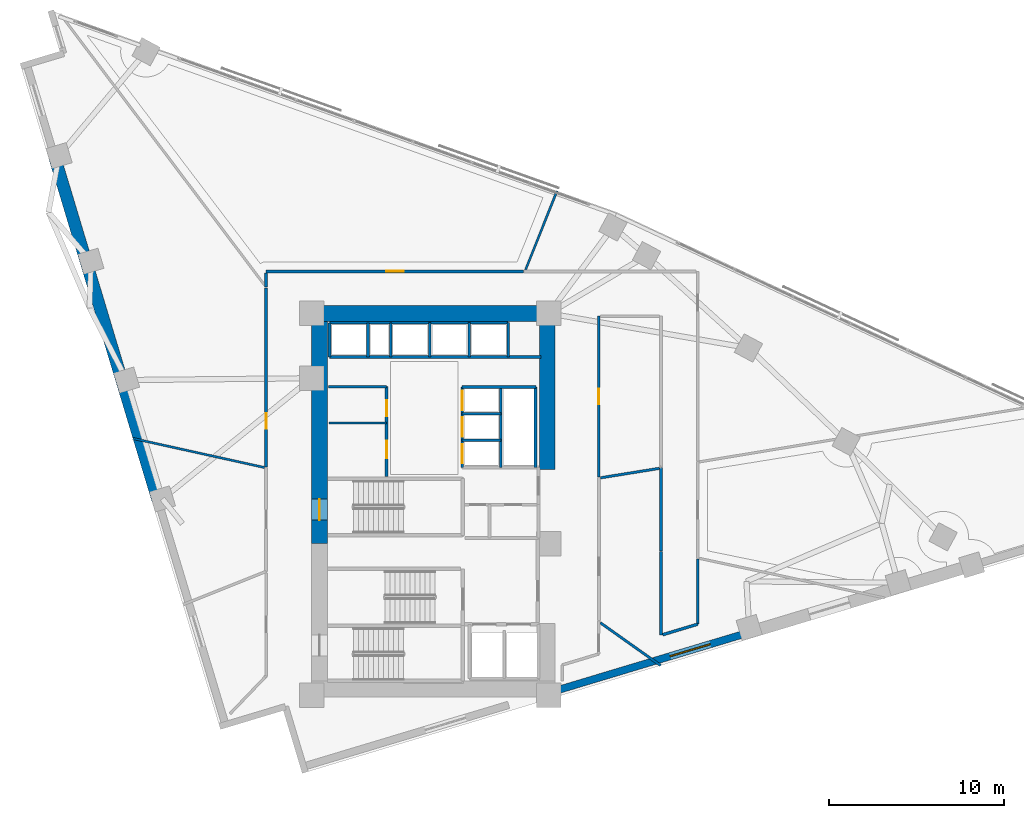
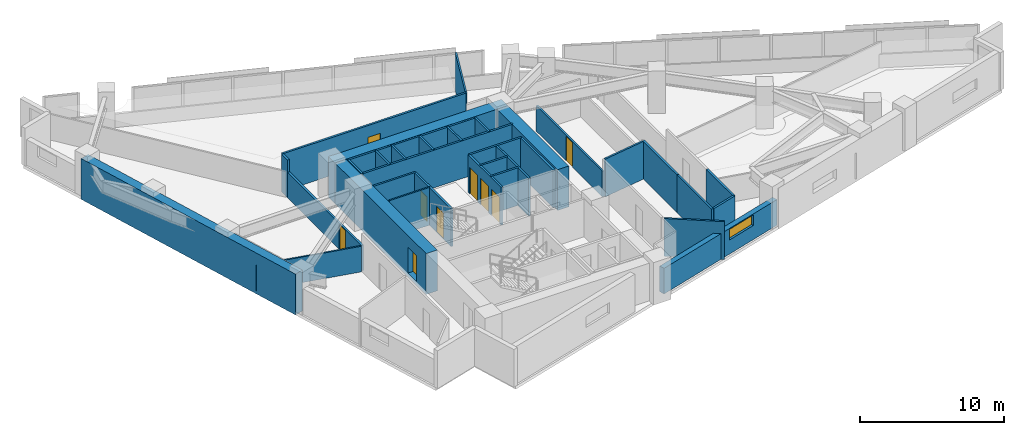
# One storey, part 10 of 14: 35 walls, 9 doors, 1 window, 10 openings.
"""IFC4 building model written with IfcOpenShell, lengths in metres."""

from ifc_helpers import new_model, si_unit, direction, frame, frame_2d, origin, place, context, subcontext, project, spatial, rectangle, extrude, material, layer, layer_set, type_object, element, fill, save


model = new_model("IFC4")

# Units and contexts
model_context = context("Model", 3, precision=1e-05, world=origin(), true_north=direction((0.0, 1.0)))
body_context = subcontext(model_context, "Body", "Model", "MODEL_VIEW")
ifc_project = project(units=[si_unit("LENGTHUNIT", "METRE"), si_unit("AREAUNIT", "SQUARE_METRE"), si_unit("VOLUMEUNIT", "CUBIC_METRE"), si_unit("PLANEANGLEUNIT", "RADIAN"), si_unit("MASSUNIT", "GRAM", prefix="KILO")], contexts=[model_context])

# Site, building, storey
site_placement = place(None, origin())
site = spatial("IfcSite", under=ifc_project, at=site_placement, CompositionType="ELEMENT")
building_placement = place(site_placement, origin())
building = spatial("IfcBuilding", under=site, at=building_placement, Name="Narakoshi Arena Tower", CompositionType="ELEMENT")
storey_placement = place(building_placement, frame((0.0, 0.0, 161.10009765625)))
storey = spatial("IfcBuildingStorey", under=building, at=storey_placement, Name="L43", CompositionType="ELEMENT", Elevation=161.10009765625)

# Wall, opening, door
ifc_material_1 = material(Name="Concrete C60/75", Category="concrete")
ifc_layer_1 = layer(ifc_material_1, 0.89990234375)
ifc_layer_set_1 = layer_set([ifc_layer_1], Name="Concrete C60/75")
wall_type_1 = type_object("IfcWallType", Name="WL-CORE-900", PredefinedType="SHEAR", material=ifc_layer_set_1)
wall_1_placement = place(storey_placement, frame((72.449951171875, 43.35009765625, -0.260009765625), z_axis=(0.0, 0.0, 1.0), x_axis=(0.0, 1.0, 0.0)))
wall_1 = element("IfcWall", 1, at=wall_1_placement, inside=storey, type_object=wall_type_1, Name="L43 Main Core Shear Wall CW-MN-W", PredefinedType="SHEAR", context=body_context, shape_type="SweptSolid", body=[
    extrude(rectangle(XDim=12.699951171875, YDim=0.89990234375, at=frame_2d((6.35009765625, 0.0))), origin(), (0.0, 0.0, 1.0), 3.4599609375),
])
opening_1_placement = place(wall_1_placement, frame((1.35009765625, 0.0, 0.260009765625)))
opening_1 = element("IfcOpeningElement", 2, at=opening_1_placement, cuts=wall_1, Name="Opening D-03", PredefinedType="OPENING", context=body_context, shape_type="SweptSolid", body=[
    extrude(rectangle(XDim=1.199951171875, YDim=2.199951171875, at=frame_2d((0.60009765625, 1.10009765625))), frame((0.0, 0.4599609375, 0.0), z_axis=(0.0, -1.0, 0.0), x_axis=(1.0, 0.0, 0.0)), (0.0, 0.0, 1.0), 0.919921875),
])
ifc_material_2 = material(Name="Painted galvanized steel", Category="steel")
door_type_1 = type_object("IfcDoorType", Name="DR-STR-1200", OperationType="NOTDEFINED", PredefinedType="USERDEFINED", material=ifc_material_2)
door_1_placement = place(opening_1_placement, frame((1.199951171875, 0.0, 0.0), z_axis=(0.0, 0.0, 1.0), x_axis=(-1.0, 0.0, 0.0)))
door_1 = element("IfcDoor", 3, at=door_1_placement, inside=storey, type_object=door_type_1, Name="DR-L43-006", ObjectType="EXITDOOR", OperationType="SINGLE_SWING_LEFT", OverallHeight=2.199951171875, OverallWidth=1.199951171875, PredefinedType="USERDEFINED", context=body_context, shape_type="SweptSolid", body=[
    extrude(rectangle(XDim=1.199951171875, YDim=2.199951171875, at=frame_2d((0.60009765625, 1.10009765625))), frame((0.0, 0.02490234375, 0.0), z_axis=(0.0, -1.0, 0.0), x_axis=(1.0, 0.0, 0.0)), (0.0, 0.0, 1.0), 0.050048828125),
])
fill(opening_1, door_1)

# Walls
wall_2_placement = place(storey_placement, frame((72.0, 56.5, -0.260009765625), z_axis=(0.0, 0.0, 1.0), x_axis=(1.0, 0.0, 0.0)))
element("IfcWall", 4, at=wall_2_placement, inside=storey, type_object=wall_type_1, Name="L43 Main Core Shear Wall CW-MN-N", PredefinedType="SHEAR", context=body_context, shape_type="SweptSolid", body=[
    extrude(rectangle(XDim=13.89990234375, YDim=0.89990234375, at=frame_2d((6.949951171875, 0.0))), origin(), (0.0, 0.0, 1.0), 3.4599609375),
])
wall_3_placement = place(storey_placement, frame((85.449951171875, 47.60009765625, -0.260009765625), z_axis=(0.0, 0.0, 1.0), x_axis=(0.0, 1.0, 0.0)))
element("IfcWall", 5, at=wall_3_placement, inside=storey, type_object=wall_type_1, Name="L43 Main Core Shear Wall CW-MN-E", PredefinedType="SHEAR", context=body_context, shape_type="SweptSolid", body=[
    extrude(rectangle(XDim=8.449951171875, YDim=0.89990234375, at=frame_2d((4.22509765625, 0.0))), origin(), (0.0, 0.0, 1.0), 3.4599609375),
])
ifc_material_3 = material(Name="Gypsum plasterboard fire-rated partition")
ifc_layer_2 = layer(ifc_material_3, 0.1650390625)
ifc_layer_set_2 = layer_set([ifc_layer_2], Name="Gypsum plasterboard fire-rated partition")
wall_type_2 = type_object("IfcWallType", Name="WL-CORR-165", PredefinedType="PARTITIONING", material=ifc_layer_set_2)
wall_4_placement = place(storey_placement, frame((91.949951171875, 47.705810546875, 0.0), z_axis=(0.0, 0.0, 1.0), x_axis=(0.0, -1.0, 0.0)))
element("IfcWall", 6, at=wall_4_placement, inside=storey, type_object=wall_type_2, Name="L43 Corridor Partition 05-2", PredefinedType="PARTITIONING", context=body_context, shape_type="SweptSolid", body=[
    extrude(rectangle(XDim=4.77783203125, YDim=0.1650390625, at=frame_2d((2.388916015625, 0.0))), origin(), (0.0, 0.0, 1.0), 3.199951171875),
])
wall_5_placement = place(storey_placement, frame((91.949951171875, 42.903564453125, 0.0), z_axis=(0.0, 0.0, 1.0), x_axis=(0.0, -1.0, 0.0)))
element("IfcWall", 7, at=wall_5_placement, inside=storey, type_object=wall_type_2, Name="L43 Corridor Partition 05-3", PredefinedType="PARTITIONING", context=body_context, shape_type="SweptSolid", body=[
    extrude(rectangle(XDim=4.778076171875, YDim=0.1650390625, at=frame_2d((2.38916015625, 0.0))), origin(), (0.0, 0.0, 1.0), 3.199951171875),
])
wall_6_placement = place(storey_placement, frame((94.050048828125, 38.757568359375, 0.0), z_axis=(0.0, 0.0, 1.0), x_axis=(0.0, 1.0, 0.0)))
element("IfcWall", 8, at=wall_6_placement, inside=storey, type_object=wall_type_2, Name="L43 Corridor Partition 05-4", PredefinedType="PARTITIONING", context=body_context, shape_type="SweptSolid", body=[
    extrude(rectangle(XDim=3.71728515625, YDim=0.1650390625, at=frame_2d((1.858642578125, 0.0))), origin(), (0.0, 0.0, 1.0), 3.199951171875),
])
wall_7_placement = place(storey_placement, frame((92.04443359375, 38.154052734375, 0.0), z_axis=(0.0, 0.0, 1.0), x_axis=(0.957585332617, 0.288149840807, 0.0)))
element("IfcWall", 9, at=wall_7_placement, inside=storey, type_object=wall_type_2, Name="L43 Corridor Partition 05-5", PredefinedType="PARTITIONING", context=body_context, shape_type="SweptSolid", body=[
    extrude(rectangle(XDim=2.094482421875, YDim=0.1650390625, at=frame_2d((1.04736328125, 0.0))), origin(), (0.0, 0.0, 1.0), 3.199951171875),
])

# Wall, opening, door
wall_8_placement = place(storey_placement, frame((84.112548828125, 58.89990234375, 0.0), z_axis=(0.0, 0.0, 1.0), x_axis=(-1.0, 0.0, 0.0)))
wall_8 = element("IfcWall", 10, at=wall_8_placement, inside=storey, type_object=wall_type_2, Name="L43 Corridor Partition 08-1", PredefinedType="PARTITIONING", context=body_context, shape_type="SweptSolid", body=[
    extrude(rectangle(XDim=14.712646484375, YDim=0.1650390625, at=frame_2d((7.3564453125, 0.0))), origin(), (0.0, 0.0, 1.0), 3.199951171875),
])
opening_2_placement = place(wall_8_placement, frame((6.856201171875, 0.0, 0.0)))
opening_2 = element("IfcOpeningElement", 11, at=opening_2_placement, cuts=wall_8, Name="Opening D-06", PredefinedType="OPENING", context=body_context, shape_type="SweptSolid", body=[
    extrude(rectangle(XDim=1.0, YDim=2.199951171875, at=frame_2d((0.5, 1.10009765625))), frame((0.0, 0.092529296875, 0.0), z_axis=(0.0, -1.0, 0.0), x_axis=(1.0, 0.0, 0.0)), (0.0, 0.0, 1.0), 0.18505859375),
])
ifc_material_4 = material(Name="Stained oak solid-core timber", Category="wood")
door_type_2 = type_object("IfcDoorType", Name="DR-OFF-1000", OperationType="NOTDEFINED", PredefinedType="DOOR", material=ifc_material_4)
door_2_placement = place(opening_2_placement, frame((1.0, 0.0, 0.0), z_axis=(0.0, 0.0, 1.0), x_axis=(-1.0, 0.0, 0.0)))
door_2 = element("IfcDoor", 12, at=door_2_placement, inside=storey, type_object=door_type_2, Name="DR-L43-022", OperationType="SINGLE_SWING_RIGHT", OverallHeight=2.199951171875, OverallWidth=1.0, PredefinedType="DOOR", context=body_context, shape_type="SweptSolid", body=[
    extrude(rectangle(XDim=1.0, YDim=2.199951171875, at=frame_2d((0.5, 1.10009765625))), frame((0.0, 0.02490234375, 0.0), z_axis=(0.0, -1.0, 0.0), x_axis=(1.0, 0.0, 0.0)), (0.0, 0.0, 1.0), 0.050048828125),
])
fill(opening_2, door_2)

# Wall
wall_9_placement = place(storey_placement, frame((69.39990234375, 58.805419921875, 0.0), z_axis=(0.0, 0.0, 1.0), x_axis=(0.0, -1.0, 0.0)))
element("IfcWall", 13, at=wall_9_placement, inside=storey, type_object=wall_type_2, Name="L43 Corridor Partition 08-2", PredefinedType="PARTITIONING", context=body_context, shape_type="SweptSolid", body=[
    extrude(rectangle(XDim=0.8046875, YDim=0.1650390625, at=frame_2d((0.40234375, 0.0))), origin(), (0.0, 0.0, 1.0), 3.199951171875),
])

# Wall, opening, door
wall_10_placement = place(storey_placement, frame((69.39990234375, 57.9609375, 0.0), z_axis=(0.0, 0.0, 1.0), x_axis=(0.0, -1.0, 0.0)))
wall_10 = element("IfcWall", 14, at=wall_10_placement, inside=storey, type_object=wall_type_2, Name="L43 Corridor Partition 09-1", PredefinedType="PARTITIONING", context=body_context, shape_type="SweptSolid", body=[
    extrude(rectangle(XDim=10.21923828125, YDim=0.1650390625, at=frame_2d((5.109619140625, 0.0))), origin(), (0.0, 0.0, 1.0), 2.177001953125),
])
opening_3_placement = place(wall_10_placement, frame((7.156982421875, 0.0, 0.0)))
opening_3 = element("IfcOpeningElement", 15, at=opening_3_placement, cuts=wall_10, Name="Opening D-08", PredefinedType="OPENING", context=body_context, shape_type="SweptSolid", body=[
    extrude(rectangle(XDim=0.89990234375, YDim=2.10009765625, at=frame_2d((0.449951171875, 1.050048828125))), frame((0.0, 0.092529296875, 0.0), z_axis=(0.0, -1.0, 0.0), x_axis=(1.0, 0.0, 0.0)), (0.0, 0.0, 1.0), 0.18505859375),
])
ifc_material_5 = material(Name="Moisture-resistant laminate timber", Category="wood")
door_type_3 = type_object("IfcDoorType", Name="DR-WC-900", OperationType="NOTDEFINED", PredefinedType="DOOR", material=ifc_material_5)
door_3_placement = place(opening_3_placement, frame((0.89990234375, 0.0, 0.0), z_axis=(0.0, 0.0, 1.0), x_axis=(-1.0, 0.0, 0.0)))
door_3 = element("IfcDoor", 16, at=door_3_placement, inside=storey, type_object=door_type_3, Name="DR-L43-023", OperationType="SINGLE_SWING_LEFT", OverallHeight=2.10009765625, OverallWidth=0.89990234375, PredefinedType="DOOR", context=body_context, shape_type="SweptSolid", body=[
    extrude(rectangle(XDim=0.89990234375, YDim=2.10009765625, at=frame_2d((0.449951171875, 1.050048828125))), frame((0.0, 0.02490234375, 0.0), z_axis=(0.0, -1.0, 0.0), x_axis=(1.0, 0.0, 0.0)), (0.0, 0.0, 1.0), 0.050048828125),
])
fill(opening_3, door_3)

# Walls
ifc_layer_3 = layer(ifc_material_1, 0.699951171875)
ifc_layer_set_3 = layer_set([ifc_layer_3], Name="Concrete C60/75")
wall_type_3 = type_object("IfcWallType", Name="WL-LEG-700", PredefinedType="SHEAR", material=ifc_layer_set_3)
wall_11_placement = place(storey_placement, frame((57.322509765625, 65.434326171875, -0.260009765625), z_axis=(0.0, 0.0, 1.0), x_axis=(0.288188159352, -0.957573801234, 0.0)))
element("IfcWall", 17, at=wall_11_placement, inside=storey, type_object=wall_type_3, Name="L43 Architectural Concrete Structural Wall LEGB-2", PredefinedType="SHEAR", context=body_context, shape_type="SweptSolid", body=[
    extrude(rectangle(XDim=20.468994140625, YDim=0.699951171875, at=frame_2d((10.234375, 0.0))), origin(), (0.0, 0.0, 1.0), 3.4599609375),
])
ifc_layer_4 = layer(ifc_material_3, 0.125)
ifc_layer_set_4 = layer_set([ifc_layer_4], Name="Gypsum plasterboard fire-rated partition")
wall_type_4 = type_object("IfcWallType", Name="WL-PART-125", PredefinedType="PARTITIONING", material=ifc_layer_set_4)
wall_12_placement = place(storey_placement, frame((73.0, 50.25, 0.0), z_axis=(0.0, 0.0, 1.0), x_axis=(1.0, 0.0, 0.0)))
element("IfcWall", 18, at=wall_12_placement, inside=storey, type_object=wall_type_4, Name="L43 Core Wall RCL-LR-D2", PredefinedType="PARTITIONING", context=body_context, shape_type="SweptSolid", body=[
    extrude(rectangle(XDim=3.280029296875, YDim=0.125, at=frame_2d((1.64013671875, 0.0))), origin(), (0.0, 0.0, 1.0), 3.199951171875),
])
wall_13_placement = place(storey_placement, frame((61.793701171875, 49.36279296875, 0.0), z_axis=(0.0, 0.0, 1.0), x_axis=(0.97643730426, -0.215801276293, 0.0)))
element("IfcWall", 19, at=wall_13_placement, inside=storey, type_object=wall_type_4, Name="L43 Inter-Room Partition 01-09", PredefinedType="PARTITIONING", context=body_context, shape_type="SweptSolid", body=[
    extrude(rectangle(XDim=7.69287109375, YDim=0.125, at=frame_2d((3.846435546875, 0.0))), origin(), (0.0, 0.0, 1.0), 2.177001953125),
])
wall_14_placement = place(storey_placement, frame((84.21484375, 58.994384765625, 0.0), z_axis=(0.0, 0.0, 1.0), x_axis=(0.371086690626, 0.928598227459, 0.0)))
element("IfcWall", 20, at=wall_14_placement, inside=storey, type_object=wall_type_4, Name="L43 Inter-Room Partition 06-08", PredefinedType="PARTITIONING", context=body_context, shape_type="SweptSolid", body=[
    extrude(rectangle(XDim=4.846923828125, YDim=0.125, at=frame_2d((2.42333984375, 0.0))), origin(), (0.0, 0.0, 1.0), 3.199951171875),
])

# Wall, opening, window
ifc_material_6 = material(Name="Precast concrete C45/55", Category="concrete")
ifc_layer_5 = layer(ifc_material_6, 0.419921875)
ifc_layer_set_5 = layer_set([ifc_layer_5], Name="Precast concrete C45/55")
wall_type_5 = type_object("IfcWallType", Name="WL-POD-420", PredefinedType="SOLIDWALL", material=ifc_layer_set_5)
wall_15_placement = place(storey_placement, frame((86.10009765625, 35.00732421875, 0.0), z_axis=(0.0, 0.0, 1.0), x_axis=(0.957569401796, 0.288202777129, 0.0)))
wall_15 = element("IfcWall", 21, at=wall_15_placement, inside=storey, type_object=wall_type_5, Name="L43 Architectural Concrete Facade Wall LEGA-2", PredefinedType="SOLIDWALL", context=body_context, shape_type="SweptSolid", body=[
    extrude(rectangle(XDim=11.447998046875, YDim=0.419921875, at=frame_2d((5.72412109375, 0.0))), origin(), (0.0, 0.0, 1.0), 2.177001953125),
])
opening_4_placement = place(wall_15_placement, frame((6.652099609375, 0.0, 1.197021484375)))
opening_4 = element("IfcOpeningElement", 22, at=opening_4_placement, cuts=wall_15, Name="Opening WN-01", PredefinedType="OPENING", context=body_context, shape_type="SweptSolid", body=[
    extrude(rectangle(XDim=2.39990234375, YDim=0.89990234375, at=frame_2d((1.199951171875, 0.449951171875))), frame((0.0, 0.219970703125, 0.0), z_axis=(0.0, -1.0, 0.0), x_axis=(1.0, 0.0, 0.0)), (0.0, 0.0, 1.0), 0.43994140625),
])
ifc_material_7 = material(Name="Bronze-tinted low-E laminated glass", Category="glass")
window_type = type_object("IfcWindowType", Name="WIN-SLT-24x09", PartitioningType="SINGLE_PANEL", PredefinedType="WINDOW", material=ifc_material_7)
window_placement = place(opening_4_placement, origin())
window = element("IfcWindow", 23, at=window_placement, inside=storey, type_object=window_type, Name="L43 LEGA2 Horizontal Slot Window 1", OverallHeight=0.89990234375, OverallWidth=2.39990234375, PartitioningType="SINGLE_PANEL", PredefinedType="WINDOW", context=body_context, shape_type="SweptSolid", body=[
    extrude(rectangle(XDim=2.39990234375, YDim=0.89990234375, at=frame_2d((1.199951171875, 0.449951171875))), frame((0.0, 0.030029296875, 0.0), z_axis=(0.0, -1.0, 0.0), x_axis=(1.0, 0.0, 0.0)), (0.0, 0.0, 1.0), 0.06005859375),
])
fill(opening_4, window)

# Walls
ifc_material_8 = material(Name="Concrete C40/50", Category="concrete")
ifc_layer_6 = layer(ifc_material_8, 0.280029296875)
ifc_layer_set_6 = layer_set([ifc_layer_6], Name="Concrete C40/50")
wall_type_6 = type_object("IfcWallType", Name="WL-RISER-280", PredefinedType="PLUMBINGWALL", material=ifc_layer_set_6)
for number, where, z_axis, x_axis, name in (
    (24, (80.60009765625, 49.260009765625, 0.0), (0.0, 0.0, 1.0), (1.0, 0.0, 0.0), "L43 Core Wall MR-D1"),
    (25, (80.60009765625, 50.780029296875, 0.0), (0.0, 0.0, 1.0), (1.0, 0.0, 0.0), "L43 Core Wall MR-D2"),
):
    element("IfcWall", number, at=place(storey_placement, frame(where, z_axis=z_axis, x_axis=x_axis)), inside=storey, type_object=wall_type_6, Name=name, PredefinedType="PLUMBINGWALL", context=body_context, shape_type="SweptSolid", body=[
        extrude(rectangle(XDim=2.199951171875, YDim=0.14990234375, at=frame_2d((1.10009765625, 0.0))), origin(), (0.0, 0.0, 1.0), 3.199951171875),
    ])
wall_16_placement = place(storey_placement, frame((82.800048828125, 47.699951171875, 0.0), z_axis=(0.0, 0.0, 1.0), x_axis=(0.0, 1.0, 0.0)))
element("IfcWall", 26, at=wall_16_placement, inside=storey, type_object=wall_type_6, Name="L43 Core Wall MR-E", PredefinedType="PLUMBINGWALL", context=body_context, shape_type="SweptSolid", body=[
    extrude(rectangle(XDim=4.60009765625, YDim=0.14990234375, at=frame_2d((2.300048828125, 0.0))), origin(), (0.0, 0.0, 1.0), 3.199951171875),
])
for number, where, z_axis, x_axis, name in (
    (27, (73.02001953125, 54.02001953125, 0.0), (0.0, 0.0, 1.0), (0.0, 1.0, 0.0), "L43 Core Wall OBS-W"),
    (28, (75.219970703125, 54.02001953125, 0.0), (0.0, 0.0, 1.0), (0.0, 1.0, 0.0), "L43 Core Wall OBS-M"),
):
    element("IfcWall", number, at=place(storey_placement, frame(where, z_axis=z_axis, x_axis=x_axis)), inside=storey, type_object=wall_type_6, Name=name, PredefinedType="PLUMBINGWALL", context=body_context, shape_type="SweptSolid", body=[
        extrude(rectangle(XDim=1.93994140625, YDim=0.14990234375, at=frame_2d((0.969970703125, 0.0))), origin(), (0.0, 0.0, 1.0), 3.199951171875),
    ])
for number, where, z_axis, x_axis, name in (
    (29, (78.75, 54.02001953125, 0.0), (0.0, 0.0, 1.0), (0.0, 1.0, 0.0), "L43 Core Wall HR-D1"),
    (30, (81.0, 54.02001953125, 0.0), (0.0, 0.0, 1.0), (0.0, 1.0, 0.0), "L43 Core Wall HR-D2"),
):
    element("IfcWall", number, at=place(storey_placement, frame(where, z_axis=z_axis, x_axis=x_axis)), inside=storey, type_object=wall_type_6, Name=name, PredefinedType="PLUMBINGWALL", context=body_context, shape_type="SweptSolid", body=[
        extrude(rectangle(XDim=1.9599609375, YDim=0.14990234375, at=frame_2d((0.97998046875, 0.0))), origin(), (0.0, 0.0, 1.0), 3.199951171875),
    ])

# Wall, openings, doors
ifc_material_9 = material(Name="Concrete C50/60", Category="concrete")
ifc_layer_7 = layer(ifc_material_9, 0.35009765625)
ifc_layer_set_7 = layer_set([ifc_layer_7], Name="Concrete C50/60")
wall_type_7 = type_object("IfcWallType", Name="WL-SHAFT-350", PredefinedType="SOLIDWALL", material=ifc_layer_set_7)
wall_17_placement = place(storey_placement, frame((76.280029296875, 47.179931640625, 0.0), z_axis=(0.0, 0.0, 1.0), x_axis=(0.0, 1.0, 0.0)))
wall_17 = element("IfcWall", 31, at=wall_17_placement, inside=storey, type_object=wall_type_7, Name="L43 Core Wall LR-E", PredefinedType="SOLIDWALL", context=body_context, shape_type="SweptSolid", body=[
    extrude(rectangle(XDim=5.14013671875, YDim=0.159912109375, at=frame_2d((2.570068359375, 0.0))), origin(), (0.0, 0.0, 1.0), 3.199951171875),
])
opening_5_placement = place(wall_17_placement, frame((1.050048828125, 0.0, 0.0)))
opening_5 = element("IfcOpeningElement", 32, at=opening_5_placement, cuts=wall_17, Name="Opening D-06", PredefinedType="OPENING", context=body_context, shape_type="SweptSolid", body=[
    extrude(rectangle(XDim=1.0, YDim=2.199951171875, at=frame_2d((0.5, 1.10009765625))), frame((0.0, 0.08984375, 0.0), z_axis=(0.0, -1.0, 0.0), x_axis=(1.0, 0.0, 0.0)), (0.0, 0.0, 1.0), 0.179931640625),
])
opening_6_placement = place(wall_17_placement, frame((3.449951171875, 0.0, 0.0)))
opening_6 = element("IfcOpeningElement", 33, at=opening_6_placement, cuts=wall_17, Name="Opening D-08", PredefinedType="OPENING", context=body_context, shape_type="SweptSolid", body=[
    extrude(rectangle(XDim=0.89990234375, YDim=2.10009765625, at=frame_2d((0.449951171875, 1.050048828125))), frame((0.0, 0.08984375, 0.0), z_axis=(0.0, -1.0, 0.0), x_axis=(1.0, 0.0, 0.0)), (0.0, 0.0, 1.0), 0.179931640625),
])
door_4_placement = place(opening_5_placement, frame((1.0, 0.0, 0.0), z_axis=(0.0, 0.0, 1.0), x_axis=(-1.0, 0.0, 0.0)))
door_4 = element("IfcDoor", 34, at=door_4_placement, inside=storey, type_object=door_type_2, Name="DR-L43-010", OperationType="SINGLE_SWING_RIGHT", OverallHeight=2.199951171875, OverallWidth=1.0, PredefinedType="DOOR", context=body_context, shape_type="SweptSolid", body=[
    extrude(rectangle(XDim=1.0, YDim=2.199951171875, at=frame_2d((0.5, 1.10009765625))), frame((0.0, 0.02490234375, 0.0), z_axis=(0.0, -1.0, 0.0), x_axis=(1.0, 0.0, 0.0)), (0.0, 0.0, 1.0), 0.050048828125),
])
fill(opening_5, door_4)
door_5_placement = place(opening_6_placement, frame((0.89990234375, 0.0, 0.0), z_axis=(0.0, 0.0, 1.0), x_axis=(-1.0, 0.0, 0.0)))
door_5 = element("IfcDoor", 35, at=door_5_placement, inside=storey, type_object=door_type_3, Name="DR-L43-011", OperationType="SINGLE_SWING_LEFT", OverallHeight=2.10009765625, OverallWidth=0.89990234375, PredefinedType="DOOR", context=body_context, shape_type="SweptSolid", body=[
    extrude(rectangle(XDim=0.89990234375, YDim=2.10009765625, at=frame_2d((0.449951171875, 1.050048828125))), frame((0.0, 0.02490234375, 0.0), z_axis=(0.0, -1.0, 0.0), x_axis=(1.0, 0.0, 0.0)), (0.0, 0.0, 1.0), 0.050048828125),
])
fill(opening_6, door_5)

# Wall
wall_18_placement = place(storey_placement, frame((72.949951171875, 52.320068359375, 0.0), z_axis=(0.0, 0.0, 1.0), x_axis=(1.0, 0.0, 0.0)))
element("IfcWall", 36, at=wall_18_placement, inside=storey, type_object=wall_type_7, Name="L43 Core Wall LR-N", PredefinedType="SOLIDWALL", context=body_context, shape_type="SweptSolid", body=[
    extrude(rectangle(XDim=3.330078125, YDim=0.14990234375, at=frame_2d((1.6650390625, 0.0))), origin(), (0.0, 0.0, 1.0), 3.199951171875),
])

# Wall, openings, doors
wall_19_placement = place(storey_placement, frame((80.60009765625, 47.699951171875, 0.0), z_axis=(0.0, 0.0, 1.0), x_axis=(0.0, 1.0, 0.0)))
wall_19 = element("IfcWall", 37, at=wall_19_placement, inside=storey, type_object=wall_type_7, Name="L43 Core Wall MR-W", PredefinedType="SOLIDWALL", context=body_context, shape_type="SweptSolid", body=[
    extrude(rectangle(XDim=4.60009765625, YDim=0.159912109375, at=frame_2d((2.300048828125, 0.0))), origin(), (0.0, 0.0, 1.0), 3.199951171875),
])
opening_7_placement = place(wall_19_placement, frame((0.239990234375, 0.0, 0.0)))
opening_7 = element("IfcOpeningElement", 38, at=opening_7_placement, cuts=wall_19, Name="Opening LD-01", PredefinedType="OPENING", context=body_context, shape_type="SweptSolid", body=[
    extrude(rectangle(XDim=1.10009765625, YDim=2.25, at=frame_2d((0.550048828125, 1.125))), frame((0.0, 0.08984375, 0.0), z_axis=(0.0, -1.0, 0.0), x_axis=(1.0, 0.0, 0.0)), (0.0, 0.0, 1.0), 0.179931640625),
])
opening_8_placement = place(wall_19_placement, frame((1.760009765625, 0.0, 0.0)))
opening_8 = element("IfcOpeningElement", 39, at=opening_8_placement, cuts=wall_19, Name="Opening LD-01", PredefinedType="OPENING", context=body_context, shape_type="SweptSolid", body=[
    extrude(rectangle(XDim=1.10009765625, YDim=2.25, at=frame_2d((0.550048828125, 1.125))), frame((0.0, 0.08984375, 0.0), z_axis=(0.0, -1.0, 0.0), x_axis=(1.0, 0.0, 0.0)), (0.0, 0.0, 1.0), 0.179931640625),
])
opening_9_placement = place(wall_19_placement, frame((3.280029296875, 0.0, 0.0)))
opening_9 = element("IfcOpeningElement", 40, at=opening_9_placement, cuts=wall_19, Name="Opening LD-01", PredefinedType="OPENING", context=body_context, shape_type="SweptSolid", body=[
    extrude(rectangle(XDim=1.10009765625, YDim=2.25, at=frame_2d((0.550048828125, 1.125))), frame((0.0, 0.08984375, 0.0), z_axis=(0.0, -1.0, 0.0), x_axis=(1.0, 0.0, 0.0)), (0.0, 0.0, 1.0), 0.179931640625),
])
ifc_material_10 = material(Name="Brushed bronze stainless steel", Category="steel")
door_type_4 = type_object("IfcDoorType", Name="DR-LFT-1100", OperationType="DOUBLE_DOOR_SLIDING", PredefinedType="DOOR", material=ifc_material_10)
door_6_placement = place(opening_7_placement, frame((1.10009765625, 0.0, 0.0), z_axis=(0.0, 0.0, 1.0), x_axis=(-1.0, 0.0, 0.0)))
door_6 = element("IfcDoor", 41, at=door_6_placement, inside=storey, type_object=door_type_4, Name="DR-L43-012", OperationType="DOUBLE_DOOR_SLIDING", OverallHeight=2.25, OverallWidth=1.10009765625, PredefinedType="DOOR", context=body_context, shape_type="SweptSolid", body=[
    extrude(rectangle(XDim=1.10009765625, YDim=2.25, at=frame_2d((0.550048828125, 1.125))), frame((0.0, 0.02490234375, 0.0), z_axis=(0.0, -1.0, 0.0), x_axis=(1.0, 0.0, 0.0)), (0.0, 0.0, 1.0), 0.050048828125),
])
fill(opening_7, door_6)
door_7_placement = place(opening_8_placement, frame((1.10009765625, 0.0, 0.0), z_axis=(0.0, 0.0, 1.0), x_axis=(-1.0, 0.0, 0.0)))
door_7 = element("IfcDoor", 42, at=door_7_placement, inside=storey, type_object=door_type_4, Name="DR-L43-013", OperationType="DOUBLE_DOOR_SLIDING", OverallHeight=2.25, OverallWidth=1.10009765625, PredefinedType="DOOR", context=body_context, shape_type="SweptSolid", body=[
    extrude(rectangle(XDim=1.10009765625, YDim=2.25, at=frame_2d((0.550048828125, 1.125))), frame((0.0, 0.02490234375, 0.0), z_axis=(0.0, -1.0, 0.0), x_axis=(1.0, 0.0, 0.0)), (0.0, 0.0, 1.0), 0.050048828125),
])
fill(opening_8, door_7)
door_8_placement = place(opening_9_placement, frame((1.10009765625, 0.0, 0.0), z_axis=(0.0, 0.0, 1.0), x_axis=(-1.0, 0.0, 0.0)))
door_8 = element("IfcDoor", 43, at=door_8_placement, inside=storey, type_object=door_type_4, Name="DR-L43-014", OperationType="DOUBLE_DOOR_SLIDING", OverallHeight=2.25, OverallWidth=1.10009765625, PredefinedType="DOOR", context=body_context, shape_type="SweptSolid", body=[
    extrude(rectangle(XDim=1.10009765625, YDim=2.25, at=frame_2d((0.550048828125, 1.125))), frame((0.0, 0.02490234375, 0.0), z_axis=(0.0, -1.0, 0.0), x_axis=(1.0, 0.0, 0.0)), (0.0, 0.0, 1.0), 0.050048828125),
])
fill(opening_9, door_8)

# Walls
wall_20_placement = place(storey_placement, frame((80.60009765625, 52.300048828125, 0.0), z_axis=(0.0, 0.0, 1.0), x_axis=(1.0, 0.0, 0.0)))
element("IfcWall", 44, at=wall_20_placement, inside=storey, type_object=wall_type_7, Name="L43 Core Wall MR-N", PredefinedType="SOLIDWALL", context=body_context, shape_type="SweptSolid", body=[
    extrude(rectangle(XDim=4.219970703125, YDim=0.159912109375, at=frame_2d((2.10986328125, 0.0))), origin(), (0.0, 0.0, 1.0), 3.199951171875),
])
wall_21_placement = place(storey_placement, frame((84.780029296875, 47.699951171875, 0.0), z_axis=(0.0, 0.0, 1.0), x_axis=(0.0, 1.0, 0.0)))
element("IfcWall", 45, at=wall_21_placement, inside=storey, type_object=wall_type_7, Name="L43 Core Wall MR-E2", PredefinedType="SOLIDWALL", context=body_context, shape_type="SweptSolid", body=[
    extrude(rectangle(XDim=4.60009765625, YDim=0.159912109375, at=frame_2d((2.300048828125, 0.0))), origin(), (0.0, 0.0, 1.0), 3.199951171875),
])
wall_22_placement = place(storey_placement, frame((73.02001953125, 54.02001953125, 0.0), z_axis=(0.0, 0.0, 1.0), x_axis=(1.0, 0.0, 0.0)))
element("IfcWall", 46, at=wall_22_placement, inside=storey, type_object=wall_type_7, Name="L43 Core Wall NSHF-S", PredefinedType="SOLIDWALL", context=body_context, shape_type="SweptSolid", body=[
    extrude(rectangle(XDim=12.080078125, YDim=0.159912109375, at=frame_2d((6.0400390625, 0.0))), origin(), (0.0, 0.0, 1.0), 3.199951171875),
])
wall_23_placement = place(storey_placement, frame((73.02001953125, 55.9599609375, 0.0), z_axis=(0.0, 0.0, 1.0), x_axis=(1.0, 0.0, 0.0)))
element("IfcWall", 47, at=wall_23_placement, inside=storey, type_object=wall_type_7, Name="L43 Core Wall OBS-N", PredefinedType="SOLIDWALL", context=body_context, shape_type="SweptSolid", body=[
    extrude(rectangle(XDim=3.5, YDim=0.14990234375, at=frame_2d((1.75, 0.0))), origin(), (0.0, 0.0, 1.0), 3.199951171875),
])
wall_24_placement = place(storey_placement, frame((76.52001953125, 54.02001953125, 0.0), z_axis=(0.0, 0.0, 1.0), x_axis=(0.0, 1.0, 0.0)))
element("IfcWall", 48, at=wall_24_placement, inside=storey, type_object=wall_type_7, Name="L43 Core Wall OBS-E", PredefinedType="SOLIDWALL", context=body_context, shape_type="SweptSolid", body=[
    extrude(rectangle(XDim=1.93994140625, YDim=0.14990234375, at=frame_2d((0.969970703125, 0.0))), origin(), (0.0, 0.0, 1.0), 3.199951171875),
])
wall_25_placement = place(storey_placement, frame((83.219970703125, 54.02001953125, 0.0), z_axis=(0.0, 0.0, 1.0), x_axis=(0.0, 1.0, 0.0)))
element("IfcWall", 49, at=wall_25_placement, inside=storey, type_object=wall_type_7, Name="L43 Core Wall HR-E", PredefinedType="SOLIDWALL", context=body_context, shape_type="SweptSolid", body=[
    extrude(rectangle(XDim=1.9599609375, YDim=0.14990234375, at=frame_2d((0.97998046875, 0.0))), origin(), (0.0, 0.0, 1.0), 3.199951171875),
])
wall_26_placement = place(storey_placement, frame((76.52001953125, 55.9599609375, 0.0), z_axis=(0.0, 0.0, 1.0), x_axis=(1.0, 0.0, 0.0)))
element("IfcWall", 50, at=wall_26_placement, inside=storey, type_object=wall_type_7, Name="L43 Core Wall HR-N", PredefinedType="SOLIDWALL", context=body_context, shape_type="SweptSolid", body=[
    extrude(rectangle(XDim=6.699951171875, YDim=0.14990234375, at=frame_2d((3.35009765625, 0.0))), origin(), (0.0, 0.0, 1.0), 3.199951171875),
])
ifc_material_11 = material(Name="Moisture-resistant cement-board partition")
ifc_layer_8 = layer(ifc_material_11, 0.14501953125)
ifc_layer_set_8 = layer_set([ifc_layer_8], Name="Moisture-resistant cement-board partition")
wall_type_8 = type_object("IfcWallType", Name="WL-WET-145", PredefinedType="PARTITIONING", material=ifc_layer_set_8)
wall_27_placement = place(storey_placement, frame((88.484619140625, 38.839599609375, 0.0), z_axis=(0.0, 0.0, 1.0), x_axis=(0.815743800115, -0.578413392457, 0.0)))
element("IfcWall", 51, at=wall_27_placement, inside=storey, type_object=wall_type_8, Name="L43 Inter-Room Partition 03-05", PredefinedType="PARTITIONING", context=body_context, shape_type="SweptSolid", body=[
    extrude(rectangle(XDim=4.223876953125, YDim=0.14501953125, at=frame_2d((2.11181640625, 0.0))), origin(), (0.0, 0.0, 1.0), 3.199951171875),
])
wall_28_placement = place(storey_placement, frame((88.494384765625, 47.11376953125, 0.0), z_axis=(0.0, 0.0, 1.0), x_axis=(0.987314114634, 0.158779214774, 0.0)))
element("IfcWall", 52, at=wall_28_placement, inside=storey, type_object=wall_type_8, Name="L43 Inter-Room Partition 05-07", PredefinedType="PARTITIONING", context=body_context, shape_type="SweptSolid", body=[
    extrude(rectangle(XDim=3.404296875, YDim=0.14501953125, at=frame_2d((1.7021484375, 0.0))), origin(), (0.0, 0.0, 1.0), 3.199951171875),
])

# Wall, opening, door
wall_29_placement = place(storey_placement, frame((88.39990234375, 47.158447265625, 0.0), z_axis=(0.0, 0.0, 1.0), x_axis=(0.0, 1.0, 0.0)))
wall_29 = element("IfcWall", 53, at=wall_29_placement, inside=storey, type_object=wall_type_8, Name="L43 Corridor Partition 07-1", PredefinedType="PARTITIONING", context=body_context, shape_type="SweptSolid", body=[
    extrude(rectangle(XDim=9.191650390625, YDim=0.14501953125, at=frame_2d((4.595703125, 0.0))), origin(), (0.0, 0.0, 1.0), 2.177001953125),
])
opening_10_placement = place(wall_29_placement, frame((4.145751953125, 0.0, 0.0)))
opening_10 = element("IfcOpeningElement", 54, at=opening_10_placement, cuts=wall_29, Name="Opening D-08", PredefinedType="OPENING", context=body_context, shape_type="SweptSolid", body=[
    extrude(rectangle(XDim=0.89990234375, YDim=2.10009765625, at=frame_2d((0.449951171875, 1.050048828125))), frame((0.0, 0.08251953125, 0.0), z_axis=(0.0, -1.0, 0.0), x_axis=(1.0, 0.0, 0.0)), (0.0, 0.0, 1.0), 0.1650390625),
])
door_9_placement = place(opening_10_placement, frame((0.89990234375, 0.0, 0.0), z_axis=(0.0, 0.0, 1.0), x_axis=(-1.0, 0.0, 0.0)))
door_9 = element("IfcDoor", 55, at=door_9_placement, inside=storey, type_object=door_type_3, Name="DR-L43-021", OperationType="SINGLE_SWING_RIGHT", OverallHeight=2.10009765625, OverallWidth=0.89990234375, PredefinedType="DOOR", context=body_context, shape_type="SweptSolid", body=[
    extrude(rectangle(XDim=0.89990234375, YDim=2.10009765625, at=frame_2d((0.449951171875, 1.050048828125))), frame((0.0, 0.02490234375, 0.0), z_axis=(0.0, -1.0, 0.0), x_axis=(1.0, 0.0, 0.0)), (0.0, 0.0, 1.0), 0.050048828125),
])
fill(opening_10, door_9)

save(model, "model.ifc")
